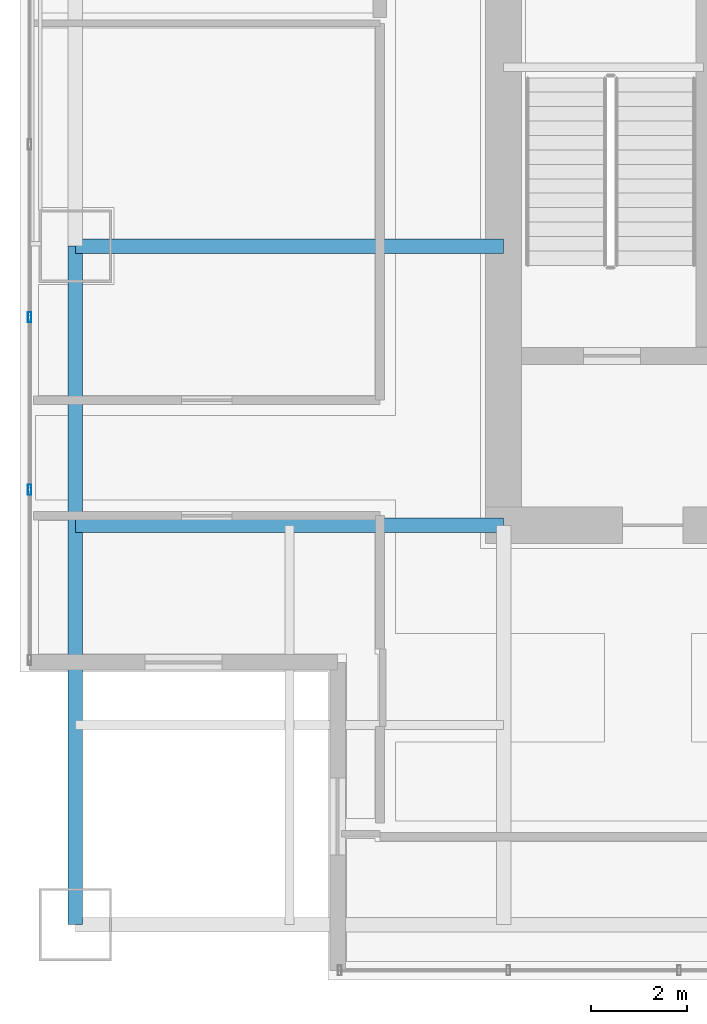
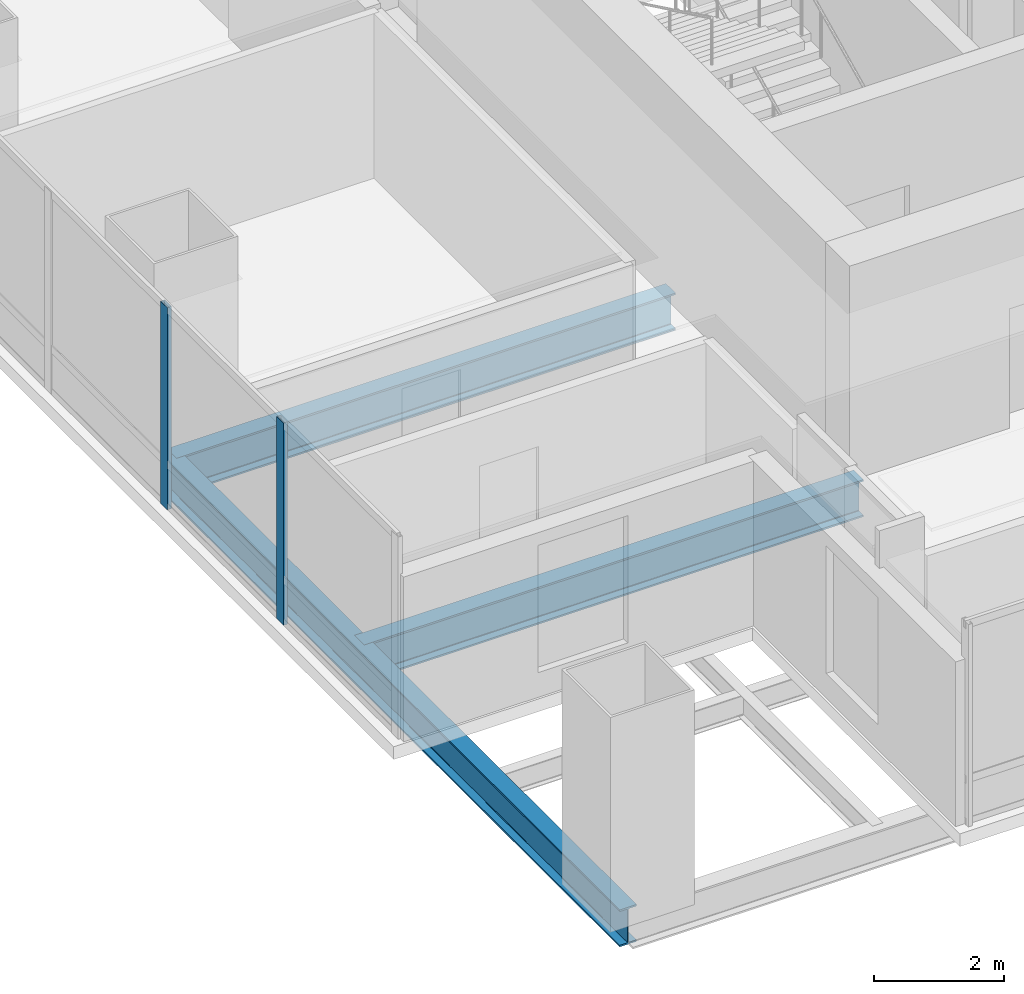
# One storey, part 4 of 35: 3 beams, 2 members, 1 element without a shape of its own.
"""IFC4 building model written with IfcOpenShell, lengths in metres."""

from ifc_helpers import new_model, si_unit, direction, frame, origin, origin_2d, place, context, subcontext, project, spatial, hollow_rectangle, i_section, extrude, material, material_profile, profile_set, type_object, element, aggregate, save


model = new_model("IFC4")

# Units and contexts
model_context = context("Model", 3, precision=1e-05, world=origin(), true_north=direction((0.0, 1.0)))
body_context = subcontext(model_context, "Body", "Model", "MODEL_VIEW")
ifc_project = project(units=[si_unit("LENGTHUNIT", "METRE"), si_unit("AREAUNIT", "SQUARE_METRE"), si_unit("VOLUMEUNIT", "CUBIC_METRE"), si_unit("PLANEANGLEUNIT", "RADIAN"), si_unit("MASSUNIT", "GRAM", prefix="KILO")], contexts=[model_context])

# Site, building, storey
site_placement = place(None, origin())
site = spatial("IfcSite", under=ifc_project, at=site_placement, CompositionType="ELEMENT")
building_placement = place(site_placement, origin())
building = spatial("IfcBuilding", under=site, at=building_placement, Name="Punatoya Terracotta Tower", CompositionType="ELEMENT")
storey_placement = place(building_placement, frame((0.0, 0.0, 113.25)))
storey = spatial("IfcBuildingStorey", under=building, at=storey_placement, Name="L26", CompositionType="ELEMENT", Elevation=113.25)

# Beams
ifc_material_1 = material(Name="Steel S355", Category="steel")
ifc_material_profile_1 = material_profile(ifc_material_1, i_section(OverallWidth=0.300048828125, OverallDepth=0.699951171875, WebThickness=0.01708984375, FlangeThickness=0.031982421875, FilletRadius=0.01806640625, at=origin_2d()))
ifc_profile_set_1 = profile_set([ifc_material_profile_1], Name="Steel S355")
beam_type = type_object("IfcBeamType", Name="BM-PRI-700", PredefinedType="BEAM", material=ifc_profile_set_1)
beam_placement = place(storey_placement, frame((-19.10009765625, -17.5, -0.590087890625), z_axis=(0.0, 1.0, 0.0), x_axis=(-1.0, 0.0, 0.0)))
element("IfcBeam", 1, at=beam_placement, inside=storey, type_object=beam_type, Name="BM-L26-RG-W1", PredefinedType="BEAM", context=body_context, shape_type="SweptSolid", body=[
    extrude(i_section(OverallWidth=0.300048828125, OverallDepth=0.699951171875, WebThickness=0.01708984375, FlangeThickness=0.031982421875, FilletRadius=0.01806640625, at=origin_2d()), origin(), (0.0, 0.0, 1.0), 14.10009765625),
])
for number, where, z_axis, x_axis, name in (
    (2, (-19.10009765625, -9.199951171875, -0.590087890625), (1.0, 0.0, 0.0), (0.0, 1.0, 0.0), "BM-L26-PR-WS"),
    (3, (-19.10009765625, -3.39990234375, -0.590087890625), (1.0, 0.0, 0.0), (0.0, 1.0, 0.0), "BM-L26-PR-WD"),
):
    element("IfcBeam", number, at=place(storey_placement, frame(where, z_axis=z_axis, x_axis=x_axis)), inside=storey, type_object=beam_type, Name=name, PredefinedType="BEAM", context=body_context, shape_type="SweptSolid", body=[
        extrude(i_section(OverallWidth=0.300048828125, OverallDepth=0.699951171875, WebThickness=0.01708984375, FlangeThickness=0.031982421875, FilletRadius=0.01806640625, at=origin_2d()), origin(), (0.0, 0.0, 1.0), 8.900146484375),
    ])

# Curtain wall, members
ifc_material_2 = material(Name="Aluminium 6063-T6 + Double Low-E Glass", Category="aluminium")
curtain_wall_type = type_object("IfcCurtainWallType", Name="CW-M1", PredefinedType="NOTDEFINED", material=ifc_material_2)
curtain_wall_placement = place(storey_placement, origin())
curtain_wall = element("IfcCurtainWall", 4, at=curtain_wall_placement, inside=storey, type_object=curtain_wall_type, Name="L26 Curtain Wall CW-L26-W12-1", PredefinedType="NOTDEFINED")
ifc_material_3 = material(Name="Aluminium 6063-T6", Category="aluminium")
ifc_material_profile_2 = material_profile(ifc_material_3, hollow_rectangle(XDim=0.074951171875, YDim=0.2099609375, WallThickness=0.00439453125, at=origin_2d()))
ifc_profile_set_2 = profile_set([ifc_material_profile_2], Name="Aluminium 6063-T6")
member_type = type_object("IfcMemberType", Name="CW-MUL-M1", PredefinedType="MULLION", material=ifc_profile_set_2)
member_1_placement = place(storey_placement, frame((-20.050048828125, -4.875, 0.0), z_axis=(0.0, 0.0, 1.0), x_axis=(1.0, 0.0, 0.0)))
member_1 = element("IfcMember", 5, at=member_1_placement, type_object=member_type, Name="CW-L26-W12-1 Mullion 07", PredefinedType="MULLION", context=body_context, shape_type="SweptSolid", body=[
    extrude(hollow_rectangle(XDim=0.074951171875, YDim=0.2099609375, WallThickness=0.00439453125, at=origin_2d()), origin(), (0.0, 0.0, 1.0), 3.81005859375),
])
member_2_placement = place(storey_placement, frame((-20.050048828125, -8.462646484375, 0.0), z_axis=(0.0, 0.0, 1.0), x_axis=(1.0, 0.0, 0.0)))
member_2 = element("IfcMember", 6, at=member_2_placement, type_object=member_type, Name="CW-L26-W12-1 Mullion 08", PredefinedType="MULLION", context=body_context, shape_type="SweptSolid", body=[
    extrude(hollow_rectangle(XDim=0.074951171875, YDim=0.2099609375, WallThickness=0.00439453125, at=origin_2d()), origin(), (0.0, 0.0, 1.0), 3.81005859375),
])
aggregate(curtain_wall, [member_1, member_2])

save(model, "model.ifc")
